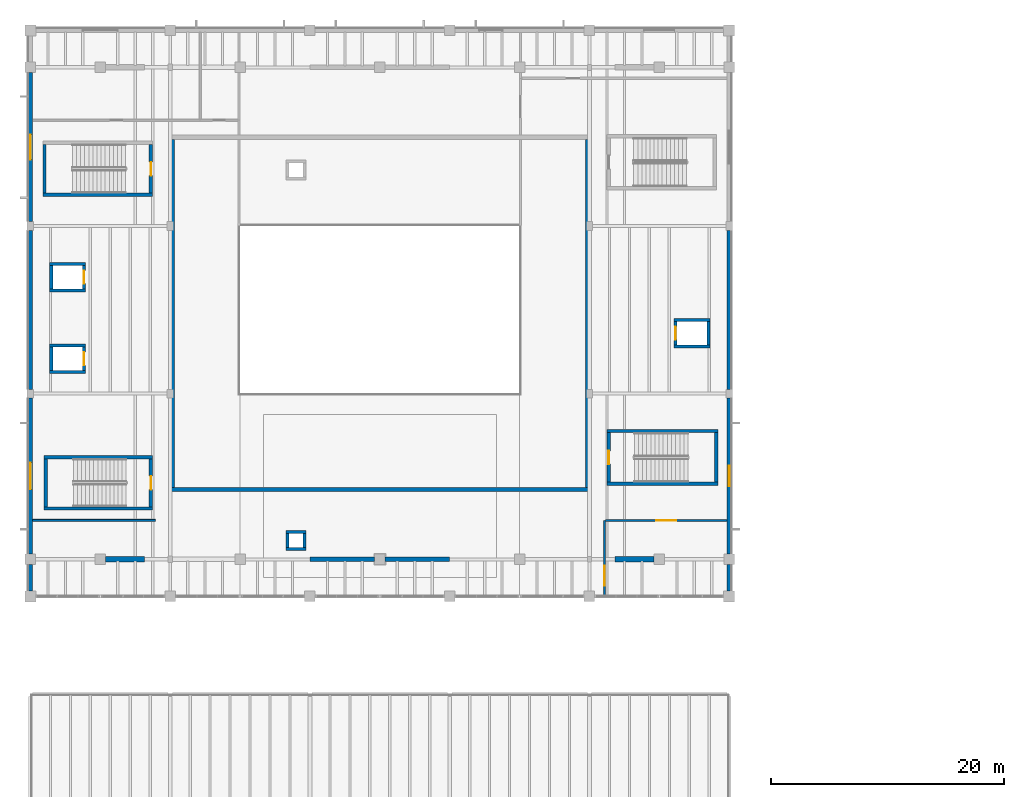
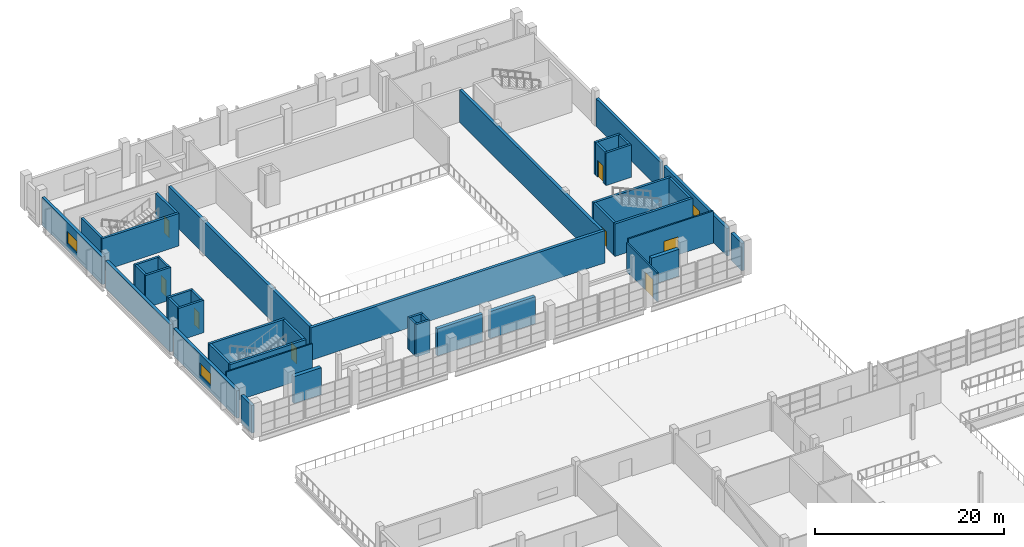
# One storey, part 58 of 78: 44 walls, 8 doors, 3 windows, 11 openings.
"""IFC4 building model written with IfcOpenShell, lengths in metres."""

from ifc_helpers import new_model, si_unit, direction, frame, frame_2d, origin, place, context, subcontext, project, spatial, rectangle, extrude, material, layer, layer_set, type_object, element, fill, save


model = new_model("IFC4")

# Units and contexts
model_context = context("Model", 3, precision=1e-05, world=origin(), true_north=direction((0.0, 1.0)))
body_context = subcontext(model_context, "Body", "Model", "MODEL_VIEW")
ifc_project = project(units=[si_unit("LENGTHUNIT", "METRE"), si_unit("AREAUNIT", "SQUARE_METRE"), si_unit("VOLUMEUNIT", "CUBIC_METRE"), si_unit("PLANEANGLEUNIT", "RADIAN"), si_unit("MASSUNIT", "GRAM", prefix="KILO")], contexts=[model_context])

# Site, building, storey
site_placement = place(None, origin())
site = spatial("IfcSite", under=ifc_project, at=site_placement, CompositionType="ELEMENT")
building_placement = place(site_placement, origin())
building = spatial("IfcBuilding", under=site, at=building_placement, Name="Kelmvaro Bay Concert Hall", CompositionType="ELEMENT")
storey_placement = place(building_placement, frame((0.0, 0.0, 9.300048828125)))
storey = spatial("IfcBuildingStorey", under=building, at=storey_placement, Name="L02", CompositionType="ELEMENT", Elevation=9.300048828125)

# Walls
ifc_material_1 = material(Name="Acoustic Gypsum Board on Galvanised Steel Studs", Category="steel")
ifc_layer_1 = layer(ifc_material_1, 0.169921875)
ifc_layer_set_1 = layer_set([ifc_layer_1], Name="Acoustic Gypsum Board on Galvanised Steel Studs")
wall_type_1 = type_object("IfcWallType", Name="Corridor Fire Compartment Partition 170", PredefinedType="PARTITIONING", material=ifc_layer_set_1)
wall_1_placement = place(storey_placement, frame((0.18994140625, 71.919921875, 0.0), z_axis=(0.0, 0.0, 1.0), x_axis=(1.0, 0.0, 0.0)))
element("IfcWall", 1, at=wall_1_placement, inside=storey, type_object=wall_type_1, Name="L02 Interior Partition PT-L02-0214", PredefinedType="PARTITIONING", context=body_context, shape_type="SweptSolid", body=[
    extrude(rectangle(XDim=10.53515625, YDim=0.169921875, at=frame_2d((5.267578125, 0.0))), origin(), (0.0, 0.0, 1.0), 4.179931640625),
])
ifc_material_2 = material(Name="Concrete C40/50", Category="concrete")
ifc_layer_2 = layer(ifc_material_2, 0.35009765625)
ifc_layer_set_2 = layer_set([ifc_layer_2], Name="Concrete C40/50")
wall_type_2 = type_object("IfcWallType", Name="Inner Floating Box Shear Wall 350", PredefinedType="SHEAR", material=ifc_layer_set_2)
wall_2_placement = place(storey_placement, frame((12.0048828125, 74.580078125, 0.0), z_axis=(0.0, 0.0, 1.0), x_axis=(1.0, 0.0, 0.0)))
element("IfcWall", 2, at=wall_2_placement, inside=storey, type_object=wall_type_2, Name="L02 V1 Acoustic Inner Box Wall S", PredefinedType="SHEAR", context=body_context, shape_type="SweptSolid", body=[
    extrude(rectangle(XDim=35.990234375, YDim=0.35009765625, at=frame_2d((17.9951171875, 0.0))), origin(), (0.0, 0.0, 1.0), 4.199951171875),
])
for number, where, z_axis, x_axis, name in (
    (3, (12.179931640625, 74.7548828125, 0.0), (0.0, 0.0, 1.0), (0.0, 1.0, 0.0), "L02 V1 Acoustic Inner Box Wall W"),
    (4, (47.820068359375, 74.7548828125, 0.0), (0.0, 0.0, 1.0), (0.0, 1.0, 0.0), "L02 V1 Acoustic Inner Box Wall E"),
):
    element("IfcWall", number, at=place(storey_placement, frame(where, z_axis=z_axis, x_axis=x_axis)), inside=storey, type_object=wall_type_2, Name=name, PredefinedType="SHEAR", context=body_context, shape_type="SweptSolid", body=[
        extrude(rectangle(XDim=29.89013671875, YDim=0.35009765625, at=frame_2d((14.945068359375, 0.0))), origin(), (0.0, 0.0, 1.0), 4.199951171875),
    ])

# Wall, opening, window
ifc_material_3 = material(Name="Precast Concrete C40/50", Category="concrete")
ifc_layer_3 = layer(ifc_material_3, 0.340087890625)
ifc_layer_set_3 = layer_set([ifc_layer_3], Name="Precast Concrete C40/50")
wall_type_3 = type_object("IfcWallType", Name="Main Hall Faceted Precast Wall 340", PredefinedType="SOLIDWALL", material=ifc_layer_set_3)
wall_3_placement = place(storey_placement, frame((60.0, 82.425048828125, 0.0), z_axis=(0.0, 0.0, 1.0), x_axis=(0.0, -1.0, 0.0)))
wall_3 = element("IfcWall", 5, at=wall_3_placement, inside=storey, type_object=wall_type_3, Name="L02 Exterior Wall EW-L02-0042", PredefinedType="SOLIDWALL", context=body_context, shape_type="SweptSolid", body=[
    extrude(rectangle(XDim=13.39501953125, YDim=0.340087890625, at=frame_2d((6.697509765625, 0.0))), origin(), (0.0, 0.0, 1.0), 3.56884765625),
])
opening_1_placement = place(wall_3_placement, frame((5.822509765625, 0.0, 0.85009765625)))
opening_1 = element("IfcOpeningElement", 6, at=opening_1_placement, cuts=wall_3, Name="Opening WN-20", PredefinedType="OPENING", context=body_context, shape_type="SweptSolid", body=[
    extrude(rectangle(XDim=1.75, YDim=1.449951171875, at=frame_2d((0.875, 0.72509765625))), frame((0.0, 0.179931640625, 0.0), z_axis=(0.0, -1.0, 0.0), x_axis=(1.0, 0.0, 0.0)), (0.0, 0.0, 1.0), 0.360107421875),
])
ifc_material_4 = material(Name="Thermally Broken Aluminium and Acoustic Low-E Glass", Category="aluminium")
window_type_1 = type_object("IfcWindowType", Name="Media Edit Suite Window 1750x1450", PartitioningType="SINGLE_PANEL", PredefinedType="WINDOW", material=ifc_material_4)
window_1_placement = place(opening_1_placement, origin())
window_1 = element("IfcWindow", 7, at=window_1_placement, inside=storey, type_object=window_type_1, Name="L02 Facade Window WN-L02-0022", OverallHeight=1.449951171875, OverallWidth=1.75, PartitioningType="SINGLE_PANEL", PredefinedType="WINDOW", context=body_context, shape_type="SweptSolid", body=[
    extrude(rectangle(XDim=1.75, YDim=1.449951171875, at=frame_2d((0.875, 0.72509765625))), frame((0.0, 0.030029296875, 0.0), z_axis=(0.0, -1.0, 0.0), x_axis=(1.0, 0.0, 0.0)), (0.0, 0.0, 1.0), 0.06005859375),
])
fill(opening_1, window_1)

# Walls
wall_4_placement = place(storey_placement, frame((60.0, 68.1298828125, 0.0), z_axis=(0.0, 0.0, 1.0), x_axis=(0.0, -1.0, 0.0)))
element("IfcWall", 8, at=wall_4_placement, inside=storey, type_object=wall_type_3, Name="L02 Exterior Wall EW-L02-0043", PredefinedType="SOLIDWALL", context=body_context, shape_type="SweptSolid", body=[
    extrude(rectangle(XDim=2.2548828125, YDim=0.340087890625, at=frame_2d((1.12744140625, 0.0))), origin(), (0.0, 0.0, 1.0), 3.56787109375),
])
wall_5_placement = place(storey_placement, frame((60.0, 96.824951171875, 0.0), z_axis=(0.0, 0.0, 1.0), x_axis=(0.0, -1.0, 0.0)))
element("IfcWall", 9, at=wall_5_placement, inside=storey, type_object=wall_type_3, Name="L02 Exterior Wall EW-L02-0044", PredefinedType="SOLIDWALL", context=body_context, shape_type="SweptSolid", body=[
    extrude(rectangle(XDim=13.64990234375, YDim=0.340087890625, at=frame_2d((6.824951171875, 0.0))), origin(), (0.0, 0.0, 1.0), 3.56884765625),
])
ifc_material_5 = material(Name="Concrete C40/50", Category="concrete")
ifc_layer_4 = layer(ifc_material_5, 0.449951171875)
ifc_layer_set_4 = layer_set([ifc_layer_4], Name="Concrete C40/50")
wall_type_4 = type_object("IfcWallType", Name="Outer Acoustic Box Shear Wall 450", PredefinedType="SHEAR", material=ifc_layer_set_4)
for number, where, z_axis, x_axis, name in (
    (10, (6.449951171875, 68.580078125, 0.0), (0.0, 0.0, 1.0), (1.0, 0.0, 0.0), "L02 Shell Springing Shear Wall S1"),
    (11, (50.199951171875, 68.580078125, 0.0), (0.0, 0.0, 1.0), (1.0, 0.0, 0.0), "L02 Shell Springing Shear Wall S4"),
):
    element("IfcWall", number, at=place(storey_placement, frame(where, z_axis=z_axis, x_axis=x_axis)), inside=storey, type_object=wall_type_4, Name=name, PredefinedType="SHEAR", context=body_context, shape_type="SweptSolid", body=[
        extrude(rectangle(XDim=3.35009765625, YDim=0.449951171875, at=frame_2d((1.675048828125, 0.0))), origin(), (0.0, 0.0, 1.0), 3.5048828125),
    ])

# Wall, opening, door
ifc_material_6 = material(Name="Acoustic Gypsum Board on Galvanised Steel Studs", Category="steel")
ifc_layer_5 = layer(ifc_material_6, 0.179931640625)
ifc_layer_set_5 = layer_set([ifc_layer_5], Name="Acoustic Gypsum Board on Galvanised Steel Studs")
wall_type_5 = type_object("IfcWallType", Name="Rehearsal Suite Acoustic Partition 180", PredefinedType="PARTITIONING", material=ifc_layer_set_5)
wall_6_placement = place(storey_placement, frame((49.280029296875, 65.449951171875, 0.0), z_axis=(0.0, 0.0, 1.0), x_axis=(0.0, 1.0, 0.0)))
wall_6 = element("IfcWall", 12, at=wall_6_placement, inside=storey, type_object=wall_type_5, Name="L02 Interior Partition PT-L02-0205", PredefinedType="PARTITIONING", context=body_context, shape_type="SweptSolid", body=[
    extrude(rectangle(XDim=6.47509765625, YDim=0.179931640625, at=frame_2d((3.237548828125, 0.0))), origin(), (0.0, 0.0, 1.0), 3.718017578125),
])
opening_2_placement = place(wall_6_placement, frame((0.8603515625, 0.0, 0.0)))
opening_2 = element("IfcOpeningElement", 13, at=opening_2_placement, cuts=wall_6, Name="Opening ID-AC4", PredefinedType="OPENING", context=body_context, shape_type="SweptSolid", body=[
    extrude(rectangle(XDim=1.719970703125, YDim=2.340087890625, at=frame_2d((0.85986328125, 1.169921875))), frame((0.0, 0.099853515625, 0.0), z_axis=(0.0, -1.0, 0.0), x_axis=(1.0, 0.0, 0.0)), (0.0, 0.0, 1.0), 0.199951171875),
])
ifc_material_7 = material(Name="Solid White Oak Acoustic Leaf")
door_type_1 = type_object("IfcDoorType", Name="Rehearsal Hall Acoustic Pair Door 1720x2340", OperationType="NOTDEFINED", PredefinedType="DOOR", material=ifc_material_7)
door_1_placement = place(opening_2_placement, origin())
door_1 = element("IfcDoor", 14, at=door_1_placement, inside=storey, type_object=door_type_1, Name="L02 Interior Door DR-INT-L02-0124", OperationType="DOUBLE_DOOR_SINGLE_SWING", OverallHeight=2.340087890625, OverallWidth=1.719970703125, PredefinedType="DOOR", context=body_context, shape_type="SweptSolid", body=[
    extrude(rectangle(XDim=1.719970703125, YDim=2.340087890625, at=frame_2d((0.85986328125, 1.169921875))), frame((0.0, 0.02490234375, 0.0), z_axis=(0.0, -1.0, 0.0), x_axis=(1.0, 0.0, 0.0)), (0.0, 0.0, 1.0), 0.050048828125),
])
fill(opening_2, door_1)

wall_7_placement = place(storey_placement, frame((49.3798828125, 71.919921875, 0.0), z_axis=(0.0, 0.0, 1.0), x_axis=(1.0, 0.0, 0.0)))
wall_7 = element("IfcWall", 15, at=wall_7_placement, inside=storey, type_object=wall_type_5, Name="L02 Interior Partition PT-L02-0218", PredefinedType="PARTITIONING", context=body_context, shape_type="SweptSolid", body=[
    extrude(rectangle(XDim=10.440185546875, YDim=0.179931640625, at=frame_2d((5.22021484375, 0.0))), origin(), (0.0, 0.0, 1.0), 4.179931640625),
])
opening_3_placement = place(wall_7_placement, frame((4.360107421875, 0.0, 0.0)))
opening_3 = element("IfcOpeningElement", 16, at=opening_3_placement, cuts=wall_7, Name="Opening ID-AC4", PredefinedType="OPENING", context=body_context, shape_type="SweptSolid", body=[
    extrude(rectangle(XDim=1.719970703125, YDim=2.340087890625, at=frame_2d((0.85986328125, 1.169921875))), frame((0.0, 0.099853515625, 0.0), z_axis=(0.0, -1.0, 0.0), x_axis=(1.0, 0.0, 0.0)), (0.0, 0.0, 1.0), 0.199951171875),
])
door_2_placement = place(opening_3_placement, origin())
door_2 = element("IfcDoor", 17, at=door_2_placement, inside=storey, type_object=door_type_1, Name="L02 Interior Door DR-INT-L02-0128", OperationType="DOUBLE_DOOR_SINGLE_SWING", OverallHeight=2.340087890625, OverallWidth=1.719970703125, PredefinedType="DOOR", context=body_context, shape_type="SweptSolid", body=[
    extrude(rectangle(XDim=1.719970703125, YDim=2.340087890625, at=frame_2d((0.85986328125, 1.169921875))), frame((0.0, 0.02490234375, 0.0), z_axis=(0.0, -1.0, 0.0), x_axis=(1.0, 0.0, 0.0)), (0.0, 0.0, 1.0), 0.050048828125),
])
fill(opening_3, door_2)

# Walls
ifc_material_8 = material(Name="Concrete C40/50", Category="concrete")
ifc_layer_6 = layer(ifc_material_8, 0.27001953125)
ifc_layer_set_6 = layer_set([ifc_layer_6], Name="Concrete C40/50")
wall_type_6 = type_object("IfcWallType", Name="Secondary Shaft Shear Wall 270", PredefinedType="SHEAR", material=ifc_layer_set_6)
for number, where, z_axis, x_axis, name in (
    (18, (21.929931640625, 69.465087890625, 0.0), (0.0, 0.0, 1.0), (1.0, 0.0, 0.0), "L02 Service Riser Shaft Wall 121-S"),
    (19, (21.929931640625, 70.93505859375, 0.0), (0.0, 0.0, 1.0), (1.0, 0.0, 0.0), "L02 Service Riser Shaft Wall 122-N"),
):
    element("IfcWall", number, at=place(storey_placement, frame(where, z_axis=z_axis, x_axis=x_axis)), inside=storey, type_object=wall_type_6, Name=name, PredefinedType="SHEAR", context=body_context, shape_type="SweptSolid", body=[
        extrude(rectangle(XDim=1.739990234375, YDim=0.27001953125, at=frame_2d((0.8701171875, 0.0))), origin(), (0.0, 0.0, 1.0), 4.199951171875),
    ])
for number, where, z_axis, x_axis, name in (
    (20, (22.06494140625, 69.60009765625, 0.0), (0.0, 0.0, 1.0), (0.0, 1.0, 0.0), "L02 Service Riser Shaft Wall 123-W"),
    (21, (23.534912109375, 69.60009765625, 0.0), (0.0, 0.0, 1.0), (0.0, 1.0, 0.0), "L02 Service Riser Shaft Wall 124-E"),
):
    element("IfcWall", number, at=place(storey_placement, frame(where, z_axis=z_axis, x_axis=x_axis)), inside=storey, type_object=wall_type_6, Name=name, PredefinedType="SHEAR", context=body_context, shape_type="SweptSolid", body=[
        extrude(rectangle(XDim=1.199951171875, YDim=0.27001953125, at=frame_2d((0.60009765625, 0.0))), origin(), (0.0, 0.0, 1.0), 4.199951171875),
    ])
for number, where, z_axis, x_axis, name in (
    (22, (1.655029296875, 84.6650390625, 0.0), (0.0, 0.0, 1.0), (1.0, 0.0, 0.0), "L02 LF-01 Lift Shaft Wall S"),
    (23, (1.655029296875, 86.93505859375, 0.0), (0.0, 0.0, 1.0), (1.0, 0.0, 0.0), "L02 LF-01 Lift Shaft Wall N"),
):
    element("IfcWall", number, at=place(storey_placement, frame(where, z_axis=z_axis, x_axis=x_axis)), inside=storey, type_object=wall_type_6, Name=name, PredefinedType="SHEAR", context=body_context, shape_type="SweptSolid", body=[
        extrude(rectangle(XDim=3.090087890625, YDim=0.27001953125, at=frame_2d((1.544921875, 0.0))), origin(), (0.0, 0.0, 1.0), 4.199951171875),
    ])
wall_8_placement = place(storey_placement, frame((1.7900390625, 84.800048828125, 0.0), z_axis=(0.0, 0.0, 1.0), x_axis=(0.0, 1.0, 0.0)))
element("IfcWall", 24, at=wall_8_placement, inside=storey, type_object=wall_type_6, Name="L02 LF-01 Lift Shaft Wall W", PredefinedType="SHEAR", context=body_context, shape_type="SweptSolid", body=[
    extrude(rectangle(XDim=2.0, YDim=0.27001953125, at=frame_2d((1.0, 0.0))), origin(), (0.0, 0.0, 1.0), 4.199951171875),
])

# Wall, opening, door
wall_9_placement = place(storey_placement, frame((4.610107421875, 84.800048828125, 0.0), z_axis=(0.0, 0.0, 1.0), x_axis=(0.0, 1.0, 0.0)))
wall_9 = element("IfcWall", 25, at=wall_9_placement, inside=storey, type_object=wall_type_6, Name="L02 LF-01 Lift Shaft Wall E", PredefinedType="SHEAR", context=body_context, shape_type="SweptSolid", body=[
    extrude(rectangle(XDim=2.0, YDim=0.27001953125, at=frame_2d((1.0, 0.0))), origin(), (0.0, 0.0, 1.0), 4.199951171875),
])
opening_4_placement = place(wall_9_placement, frame((0.43994140625, 0.0, 0.0)))
opening_4 = element("IfcOpeningElement", 26, at=opening_4_placement, cuts=wall_9, Name="Opening LD-112", PredefinedType="OPENING", context=body_context, shape_type="SweptSolid", body=[
    extrude(rectangle(XDim=1.1201171875, YDim=2.14990234375, at=frame_2d((0.56005859375, 1.074951171875))), frame((0.0, 0.14501953125, 0.0), z_axis=(0.0, -1.0, 0.0), x_axis=(1.0, 0.0, 0.0)), (0.0, 0.0, 1.0), 0.2900390625),
])
ifc_material_9 = material(Name="Brushed Stainless Steel 316", Category="steel")
door_type_2 = type_object("IfcDoorType", Name="Passenger Lift Sliding Landing Door 1120x2150", OperationType="NOTDEFINED", PredefinedType="DOOR", material=ifc_material_9)
door_3_placement = place(opening_4_placement, origin())
door_3 = element("IfcDoor", 27, at=door_3_placement, inside=storey, type_object=door_type_2, Name="L02 Lift Landing Door LF-01", OperationType="SLIDING_TO_LEFT", OverallHeight=2.14990234375, OverallWidth=1.1201171875, PredefinedType="DOOR", context=body_context, shape_type="SweptSolid", body=[
    extrude(rectangle(XDim=1.1201171875, YDim=2.14990234375, at=frame_2d((0.56005859375, 1.074951171875))), frame((0.0, 0.02490234375, 0.0), z_axis=(0.0, -1.0, 0.0), x_axis=(1.0, 0.0, 0.0)), (0.0, 0.0, 1.0), 0.050048828125),
])
fill(opening_4, door_3)

# Walls
for number, where, z_axis, x_axis, name in (
    (28, (1.655029296875, 91.6650390625, 0.0), (0.0, 0.0, 1.0), (1.0, 0.0, 0.0), "L02 LF-02 Lift Shaft Wall S"),
    (29, (1.655029296875, 93.93505859375, 0.0), (0.0, 0.0, 1.0), (1.0, 0.0, 0.0), "L02 LF-02 Lift Shaft Wall N"),
):
    element("IfcWall", number, at=place(storey_placement, frame(where, z_axis=z_axis, x_axis=x_axis)), inside=storey, type_object=wall_type_6, Name=name, PredefinedType="SHEAR", context=body_context, shape_type="SweptSolid", body=[
        extrude(rectangle(XDim=3.090087890625, YDim=0.27001953125, at=frame_2d((1.544921875, 0.0))), origin(), (0.0, 0.0, 1.0), 4.199951171875),
    ])
wall_10_placement = place(storey_placement, frame((1.7900390625, 91.800048828125, 0.0), z_axis=(0.0, 0.0, 1.0), x_axis=(0.0, 1.0, 0.0)))
element("IfcWall", 30, at=wall_10_placement, inside=storey, type_object=wall_type_6, Name="L02 LF-02 Lift Shaft Wall W", PredefinedType="SHEAR", context=body_context, shape_type="SweptSolid", body=[
    extrude(rectangle(XDim=2.0, YDim=0.27001953125, at=frame_2d((1.0, 0.0))), origin(), (0.0, 0.0, 1.0), 4.199951171875),
])

# Wall, opening, door
wall_11_placement = place(storey_placement, frame((4.610107421875, 91.800048828125, 0.0), z_axis=(0.0, 0.0, 1.0), x_axis=(0.0, 1.0, 0.0)))
wall_11 = element("IfcWall", 31, at=wall_11_placement, inside=storey, type_object=wall_type_6, Name="L02 LF-02 Lift Shaft Wall E", PredefinedType="SHEAR", context=body_context, shape_type="SweptSolid", body=[
    extrude(rectangle(XDim=2.0, YDim=0.27001953125, at=frame_2d((1.0, 0.0))), origin(), (0.0, 0.0, 1.0), 4.199951171875),
])
opening_5_placement = place(wall_11_placement, frame((0.43994140625, 0.0, 0.0)))
opening_5 = element("IfcOpeningElement", 32, at=opening_5_placement, cuts=wall_11, Name="Opening LD-112", PredefinedType="OPENING", context=body_context, shape_type="SweptSolid", body=[
    extrude(rectangle(XDim=1.1201171875, YDim=2.14990234375, at=frame_2d((0.56005859375, 1.074951171875))), frame((0.0, 0.14501953125, 0.0), z_axis=(0.0, -1.0, 0.0), x_axis=(1.0, 0.0, 0.0)), (0.0, 0.0, 1.0), 0.2900390625),
])
door_4_placement = place(opening_5_placement, origin())
door_4 = element("IfcDoor", 33, at=door_4_placement, inside=storey, type_object=door_type_2, Name="L02 Lift Landing Door LF-02", OperationType="SLIDING_TO_LEFT", OverallHeight=2.14990234375, OverallWidth=1.1201171875, PredefinedType="DOOR", context=body_context, shape_type="SweptSolid", body=[
    extrude(rectangle(XDim=1.1201171875, YDim=2.14990234375, at=frame_2d((0.56005859375, 1.074951171875))), frame((0.0, 0.02490234375, 0.0), z_axis=(0.0, -1.0, 0.0), x_axis=(1.0, 0.0, 0.0)), (0.0, 0.0, 1.0), 0.050048828125),
])
fill(opening_5, door_4)

# Walls
for number, where, z_axis, x_axis, name in (
    (34, (55.2548828125, 86.864990234375, 0.0), (0.0, 0.0, 1.0), (1.0, 0.0, 0.0), "L02 LF-03 Lift Shaft Wall S"),
    (35, (55.2548828125, 89.135009765625, 0.0), (0.0, 0.0, 1.0), (1.0, 0.0, 0.0), "L02 LF-03 Lift Shaft Wall N"),
):
    element("IfcWall", number, at=place(storey_placement, frame(where, z_axis=z_axis, x_axis=x_axis)), inside=storey, type_object=wall_type_6, Name=name, PredefinedType="SHEAR", context=body_context, shape_type="SweptSolid", body=[
        extrude(rectangle(XDim=3.090087890625, YDim=0.27001953125, at=frame_2d((1.544921875, 0.0))), origin(), (0.0, 0.0, 1.0), 4.199951171875),
    ])

# Wall, opening, door
wall_12_placement = place(storey_placement, frame((55.389892578125, 87.0, 0.0), z_axis=(0.0, 0.0, 1.0), x_axis=(0.0, 1.0, 0.0)))
wall_12 = element("IfcWall", 36, at=wall_12_placement, inside=storey, type_object=wall_type_6, Name="L02 LF-03 Lift Shaft Wall W", PredefinedType="SHEAR", context=body_context, shape_type="SweptSolid", body=[
    extrude(rectangle(XDim=2.0, YDim=0.27001953125, at=frame_2d((1.0, 0.0))), origin(), (0.0, 0.0, 1.0), 4.199951171875),
])
opening_6_placement = place(wall_12_placement, frame((0.43994140625, 0.0, 0.0)))
opening_6 = element("IfcOpeningElement", 37, at=opening_6_placement, cuts=wall_12, Name="Opening LD-112", PredefinedType="OPENING", context=body_context, shape_type="SweptSolid", body=[
    extrude(rectangle(XDim=1.1201171875, YDim=2.14990234375, at=frame_2d((0.56005859375, 1.074951171875))), frame((0.0, 0.14501953125, 0.0), z_axis=(0.0, -1.0, 0.0), x_axis=(1.0, 0.0, 0.0)), (0.0, 0.0, 1.0), 0.2900390625),
])
door_5_placement = place(opening_6_placement, origin())
door_5 = element("IfcDoor", 38, at=door_5_placement, inside=storey, type_object=door_type_2, Name="L02 Lift Landing Door LF-03", OperationType="SLIDING_TO_LEFT", OverallHeight=2.14990234375, OverallWidth=1.1201171875, PredefinedType="DOOR", context=body_context, shape_type="SweptSolid", body=[
    extrude(rectangle(XDim=1.1201171875, YDim=2.14990234375, at=frame_2d((0.56005859375, 1.074951171875))), frame((0.0, 0.02490234375, 0.0), z_axis=(0.0, -1.0, 0.0), x_axis=(1.0, 0.0, 0.0)), (0.0, 0.0, 1.0), 0.050048828125),
])
fill(opening_6, door_5)

# Walls
wall_13_placement = place(storey_placement, frame((58.2099609375, 87.0, 0.0), z_axis=(0.0, 0.0, 1.0), x_axis=(0.0, 1.0, 0.0)))
element("IfcWall", 39, at=wall_13_placement, inside=storey, type_object=wall_type_6, Name="L02 LF-03 Lift Shaft Wall E", PredefinedType="SHEAR", context=body_context, shape_type="SweptSolid", body=[
    extrude(rectangle(XDim=2.0, YDim=0.27001953125, at=frame_2d((1.0, 0.0))), origin(), (0.0, 0.0, 1.0), 4.199951171875),
])
ifc_material_10 = material(Name="Concrete C40/50", Category="concrete")
ifc_layer_7 = layer(ifc_material_10, 0.409912109375)
ifc_layer_set_7 = layer_set([ifc_layer_7], Name="Concrete C40/50")
wall_type_7 = type_object("IfcWallType", Name="Shell Springing Shear Wall 410", PredefinedType="SHEAR", material=ifc_layer_set_7)
for number, where, z_axis, x_axis, name in (
    (40, (24.0, 68.580078125, 0.0), (0.0, 0.0, 1.0), (1.0, 0.0, 0.0), "L02 Shell Springing Shear Wall S2"),
    (41, (30.449951171875, 68.580078125, 0.0), (0.0, 0.0, 1.0), (1.0, 0.0, 0.0), "L02 Shell Springing Shear Wall S3"),
):
    element("IfcWall", number, at=place(storey_placement, frame(where, z_axis=z_axis, x_axis=x_axis)), inside=storey, type_object=wall_type_7, Name=name, PredefinedType="SHEAR", context=body_context, shape_type="SweptSolid", body=[
        extrude(rectangle(XDim=5.550048828125, YDim=0.409912109375, at=frame_2d((2.77490234375, 0.0))), origin(), (0.0, 0.0, 1.0), 3.5048828125),
    ])
ifc_material_11 = material(Name="Concrete C40/50", Category="concrete")
ifc_layer_8 = layer(ifc_material_11, 0.2900390625)
ifc_layer_set_8 = layer_set([ifc_layer_8], Name="Concrete C40/50")
wall_type_8 = type_object("IfcWallType", Name="Stair and Lift Core Shear Wall 290", PredefinedType="SHEAR", material=ifc_layer_set_8)
for number, where, z_axis, x_axis, name in (
    (42, (1.159912109375, 72.945068359375, 0.0), (0.0, 0.0, 1.0), (1.0, 0.0, 0.0), "L02 ST-01 Core Shear Wall S"),
    (43, (1.159912109375, 77.344970703125, 0.0), (0.0, 0.0, 1.0), (1.0, 0.0, 0.0), "L02 ST-01 Core Shear Wall N"),
):
    element("IfcWall", number, at=place(storey_placement, frame(where, z_axis=z_axis, x_axis=x_axis)), inside=storey, type_object=wall_type_8, Name=name, PredefinedType="SHEAR", context=body_context, shape_type="SweptSolid", body=[
        extrude(rectangle(XDim=9.330078125, YDim=0.2900390625, at=frame_2d((4.6650390625, 0.0))), origin(), (0.0, 0.0, 1.0), 4.199951171875),
    ])
wall_14_placement = place(storey_placement, frame((1.304931640625, 73.090087890625, 0.0), z_axis=(0.0, 0.0, 1.0), x_axis=(0.0, 1.0, 0.0)))
element("IfcWall", 44, at=wall_14_placement, inside=storey, type_object=wall_type_8, Name="L02 ST-01 Core Shear Wall W", PredefinedType="SHEAR", context=body_context, shape_type="SweptSolid", body=[
    extrude(rectangle(XDim=4.10986328125, YDim=0.2900390625, at=frame_2d((2.054931640625, 0.0))), origin(), (0.0, 0.0, 1.0), 4.199951171875),
])

# Wall, opening, door
wall_15_placement = place(storey_placement, frame((10.344970703125, 73.090087890625, 0.0), z_axis=(0.0, 0.0, 1.0), x_axis=(0.0, 1.0, 0.0)))
wall_15 = element("IfcWall", 45, at=wall_15_placement, inside=storey, type_object=wall_type_8, Name="L02 ST-01 Core Shear Wall E", PredefinedType="SHEAR", context=body_context, shape_type="SweptSolid", body=[
    extrude(rectangle(XDim=4.10986328125, YDim=0.2900390625, at=frame_2d((2.054931640625, 0.0))), origin(), (0.0, 0.0, 1.0), 4.199951171875),
])
opening_7_placement = place(wall_15_placement, frame((1.47998046875, 0.0, 0.0)))
opening_7 = element("IfcOpeningElement", 46, at=opening_7_placement, cuts=wall_15, Name="Opening ID-ST1", PredefinedType="OPENING", context=body_context, shape_type="SweptSolid", body=[
    extrude(rectangle(XDim=1.14990234375, YDim=2.14990234375, at=frame_2d((0.574951171875, 1.074951171875))), frame((0.0, 0.155029296875, 0.0), z_axis=(0.0, -1.0, 0.0), x_axis=(1.0, 0.0, 0.0)), (0.0, 0.0, 1.0), 0.31005859375),
])
ifc_material_12 = material(Name="Fire-Rated Galvanised Steel", Category="steel")
door_type_3 = type_object("IfcDoorType", Name="Exit Stair Fire Door 1150x2150", OperationType="NOTDEFINED", PredefinedType="DOOR", material=ifc_material_12)
door_6_placement = place(opening_7_placement, origin())
door_6 = element("IfcDoor", 47, at=door_6_placement, inside=storey, type_object=door_type_3, Name="L02 ST-01 Stair Fire Door", OperationType="SINGLE_SWING_RIGHT", OverallHeight=2.14990234375, OverallWidth=1.14990234375, PredefinedType="DOOR", context=body_context, shape_type="SweptSolid", body=[
    extrude(rectangle(XDim=1.14990234375, YDim=2.14990234375, at=frame_2d((0.574951171875, 1.074951171875))), frame((0.0, 0.02490234375, 0.0), z_axis=(0.0, -1.0, 0.0), x_axis=(1.0, 0.0, 0.0)), (0.0, 0.0, 1.0), 0.050048828125),
])
fill(opening_7, door_6)

# Walls
wall_16_placement = place(storey_placement, frame((1.06005859375, 99.864990234375, 0.0), z_axis=(0.0, 0.0, 1.0), x_axis=(1.0, 0.0, 0.0)))
element("IfcWall", 48, at=wall_16_placement, inside=storey, type_object=wall_type_8, Name="L02 ST-03 Core Shear Wall S", PredefinedType="SHEAR", context=body_context, shape_type="SweptSolid", body=[
    extrude(rectangle(XDim=9.429931640625, YDim=0.2900390625, at=frame_2d((4.71484375, 0.0))), origin(), (0.0, 0.0, 1.0), 4.199951171875),
])
wall_17_placement = place(storey_placement, frame((1.205078125, 100.010009765625, 0.0), z_axis=(0.0, 0.0, 1.0), x_axis=(0.0, 1.0, 0.0)))
element("IfcWall", 49, at=wall_17_placement, inside=storey, type_object=wall_type_8, Name="L02 ST-03 Core Shear Wall W", PredefinedType="SHEAR", context=body_context, shape_type="SweptSolid", body=[
    extrude(rectangle(XDim=4.18994140625, YDim=0.2900390625, at=frame_2d((2.094970703125, 0.0))), origin(), (0.0, 0.0, 1.0), 4.199951171875),
])

# Wall, opening, door
wall_18_placement = place(storey_placement, frame((10.344970703125, 100.010009765625, 0.0), z_axis=(0.0, 0.0, 1.0), x_axis=(0.0, 1.0, 0.0)))
wall_18 = element("IfcWall", 50, at=wall_18_placement, inside=storey, type_object=wall_type_8, Name="L02 ST-03 Core Shear Wall E", PredefinedType="SHEAR", context=body_context, shape_type="SweptSolid", body=[
    extrude(rectangle(XDim=4.18994140625, YDim=0.2900390625, at=frame_2d((2.094970703125, 0.0))), origin(), (0.0, 0.0, 1.0), 4.199951171875),
])
opening_8_placement = place(wall_18_placement, frame((1.52001953125, 0.0, 0.0)))
opening_8 = element("IfcOpeningElement", 51, at=opening_8_placement, cuts=wall_18, Name="Opening ID-ST1", PredefinedType="OPENING", context=body_context, shape_type="SweptSolid", body=[
    extrude(rectangle(XDim=1.14990234375, YDim=2.14990234375, at=frame_2d((0.574951171875, 1.074951171875))), frame((0.0, 0.155029296875, 0.0), z_axis=(0.0, -1.0, 0.0), x_axis=(1.0, 0.0, 0.0)), (0.0, 0.0, 1.0), 0.31005859375),
])
door_7_placement = place(opening_8_placement, origin())
door_7 = element("IfcDoor", 52, at=door_7_placement, inside=storey, type_object=door_type_3, Name="L02 ST-03 Stair Fire Door", OperationType="SINGLE_SWING_RIGHT", OverallHeight=2.14990234375, OverallWidth=1.14990234375, PredefinedType="DOOR", context=body_context, shape_type="SweptSolid", body=[
    extrude(rectangle(XDim=1.14990234375, YDim=2.14990234375, at=frame_2d((0.574951171875, 1.074951171875))), frame((0.0, 0.02490234375, 0.0), z_axis=(0.0, -1.0, 0.0), x_axis=(1.0, 0.0, 0.0)), (0.0, 0.0, 1.0), 0.050048828125),
])
fill(opening_8, door_7)

# Walls
for number, where, z_axis, x_axis, name in (
    (53, (49.510009765625, 75.054931640625, 0.0), (0.0, 0.0, 1.0), (1.0, 0.0, 0.0), "L02 ST-04 Core Shear Wall S"),
    (54, (49.510009765625, 79.594970703125, 0.0), (0.0, 0.0, 1.0), (1.0, 0.0, 0.0), "L02 ST-04 Core Shear Wall N"),
):
    element("IfcWall", number, at=place(storey_placement, frame(where, z_axis=z_axis, x_axis=x_axis)), inside=storey, type_object=wall_type_8, Name=name, PredefinedType="SHEAR", context=body_context, shape_type="SweptSolid", body=[
        extrude(rectangle(XDim=9.530029296875, YDim=0.2900390625, at=frame_2d((4.76513671875, 0.0))), origin(), (0.0, 0.0, 1.0), 4.199951171875),
    ])

# Wall, opening, door
wall_19_placement = place(storey_placement, frame((49.655029296875, 75.199951171875, 0.0), z_axis=(0.0, 0.0, 1.0), x_axis=(0.0, 1.0, 0.0)))
wall_19 = element("IfcWall", 55, at=wall_19_placement, inside=storey, type_object=wall_type_8, Name="L02 ST-04 Core Shear Wall W", PredefinedType="SHEAR", context=body_context, shape_type="SweptSolid", body=[
    extrude(rectangle(XDim=4.25, YDim=0.2900390625, at=frame_2d((2.125, 0.0))), origin(), (0.0, 0.0, 1.0), 4.199951171875),
])
opening_9_placement = place(wall_19_placement, frame((1.550048828125, 0.0, 0.0)))
opening_9 = element("IfcOpeningElement", 56, at=opening_9_placement, cuts=wall_19, Name="Opening ID-ST1", PredefinedType="OPENING", context=body_context, shape_type="SweptSolid", body=[
    extrude(rectangle(XDim=1.14990234375, YDim=2.14990234375, at=frame_2d((0.574951171875, 1.074951171875))), frame((0.0, 0.155029296875, 0.0), z_axis=(0.0, -1.0, 0.0), x_axis=(1.0, 0.0, 0.0)), (0.0, 0.0, 1.0), 0.31005859375),
])
door_8_placement = place(opening_9_placement, origin())
door_8 = element("IfcDoor", 57, at=door_8_placement, inside=storey, type_object=door_type_3, Name="L02 ST-04 Stair Fire Door", OperationType="SINGLE_SWING_RIGHT", OverallHeight=2.14990234375, OverallWidth=1.14990234375, PredefinedType="DOOR", context=body_context, shape_type="SweptSolid", body=[
    extrude(rectangle(XDim=1.14990234375, YDim=2.14990234375, at=frame_2d((0.574951171875, 1.074951171875))), frame((0.0, 0.02490234375, 0.0), z_axis=(0.0, -1.0, 0.0), x_axis=(1.0, 0.0, 0.0)), (0.0, 0.0, 1.0), 0.050048828125),
])
fill(opening_9, door_8)

# Walls
wall_20_placement = place(storey_placement, frame((58.89501953125, 75.199951171875, 0.0), z_axis=(0.0, 0.0, 1.0), x_axis=(0.0, 1.0, 0.0)))
element("IfcWall", 58, at=wall_20_placement, inside=storey, type_object=wall_type_8, Name="L02 ST-04 Core Shear Wall E", PredefinedType="SHEAR", context=body_context, shape_type="SweptSolid", body=[
    extrude(rectangle(XDim=4.25, YDim=0.2900390625, at=frame_2d((2.125, 0.0))), origin(), (0.0, 0.0, 1.0), 4.199951171875),
])
ifc_material_13 = material(Name="Precast Concrete C40/50", Category="concrete")
ifc_layer_9 = layer(ifc_material_13, 0.360107421875)
ifc_layer_set_9 = layer_set([ifc_layer_9], Name="Precast Concrete C40/50")
wall_type_9 = type_object("IfcWallType", Name="Travertine Acoustic Precast Wall 360", PredefinedType="SOLIDWALL", material=ifc_layer_set_9)
wall_21_placement = place(storey_placement, frame((0.0, 65.875, 0.0), z_axis=(0.0, 0.0, 1.0), x_axis=(0.0, 1.0, 0.0)))
element("IfcWall", 59, at=wall_21_placement, inside=storey, type_object=wall_type_9, Name="L02 Exterior Wall EW-L02-0037", PredefinedType="SOLIDWALL", context=body_context, shape_type="SweptSolid", body=[
    extrude(rectangle(XDim=2.2548828125, YDim=0.360107421875, at=frame_2d((1.12744140625, 0.0))), origin(), (0.0, 0.0, 1.0), 3.56787109375),
])

# Wall, opening, window
wall_22_placement = place(storey_placement, frame((0.0, 69.030029296875, 0.0), z_axis=(0.0, 0.0, 1.0), x_axis=(0.0, 1.0, 0.0)))
wall_22 = element("IfcWall", 60, at=wall_22_placement, inside=storey, type_object=wall_type_9, Name="L02 Exterior Wall EW-L02-0038", PredefinedType="SOLIDWALL", context=body_context, shape_type="SweptSolid", body=[
    extrude(rectangle(XDim=13.39501953125, YDim=0.360107421875, at=frame_2d((6.697509765625, 0.0))), origin(), (0.0, 0.0, 1.0), 3.56884765625),
])
opening_10_placement = place(wall_22_placement, frame((5.547607421875, 0.0, 0.85009765625)))
opening_10 = element("IfcOpeningElement", 61, at=opening_10_placement, cuts=wall_22, Name="Opening WN-18", PredefinedType="OPENING", context=body_context, shape_type="SweptSolid", body=[
    extrude(rectangle(XDim=2.300048828125, YDim=1.60009765625, at=frame_2d((1.14990234375, 0.800048828125))), frame((0.0, 0.18994140625, 0.0), z_axis=(0.0, -1.0, 0.0), x_axis=(1.0, 0.0, 0.0)), (0.0, 0.0, 1.0), 0.380126953125),
])
ifc_material_14 = material(Name="Thermally Broken Aluminium and Acoustic Low-E Glass", Category="aluminium")
window_type_2 = type_object("IfcWindowType", Name="Folio Library Reading Window 2300x1600", PartitioningType="SINGLE_PANEL", PredefinedType="WINDOW", material=ifc_material_14)
window_2_placement = place(opening_10_placement, origin())
window_2 = element("IfcWindow", 62, at=window_2_placement, inside=storey, type_object=window_type_2, Name="L02 Facade Window WN-L02-0020", OverallHeight=1.60009765625, OverallWidth=2.300048828125, PartitioningType="SINGLE_PANEL", PredefinedType="WINDOW", context=body_context, shape_type="SweptSolid", body=[
    extrude(rectangle(XDim=2.300048828125, YDim=1.60009765625, at=frame_2d((1.14990234375, 0.800048828125))), frame((0.0, 0.030029296875, 0.0), z_axis=(0.0, -1.0, 0.0), x_axis=(1.0, 0.0, 0.0)), (0.0, 0.0, 1.0), 0.06005859375),
])
fill(opening_10, window_2)

# Wall
wall_23_placement = place(storey_placement, frame((0.0, 83.175048828125, 0.0), z_axis=(0.0, 0.0, 1.0), x_axis=(0.0, 1.0, 0.0)))
element("IfcWall", 63, at=wall_23_placement, inside=storey, type_object=wall_type_9, Name="L02 Exterior Wall EW-L02-0039", PredefinedType="SOLIDWALL", context=body_context, shape_type="SweptSolid", body=[
    extrude(rectangle(XDim=13.64990234375, YDim=0.360107421875, at=frame_2d((6.824951171875, 0.0))), origin(), (0.0, 0.0, 1.0), 3.56884765625),
])

# Wall, opening, window
wall_24_placement = place(storey_placement, frame((0.0, 97.574951171875, 0.0), z_axis=(0.0, 0.0, 1.0), x_axis=(0.0, 1.0, 0.0)))
wall_24 = element("IfcWall", 64, at=wall_24_placement, inside=storey, type_object=wall_type_9, Name="L02 Exterior Wall EW-L02-0040", PredefinedType="SOLIDWALL", context=body_context, shape_type="SweptSolid", body=[
    extrude(rectangle(XDim=12.795166015625, YDim=0.360107421875, at=frame_2d((6.3974609375, 0.0))), origin(), (0.0, 0.0, 1.0), 3.56884765625),
])
opening_11_placement = place(wall_24_placement, frame((5.322509765625, 0.0, 0.85009765625)))
opening_11 = element("IfcOpeningElement", 65, at=opening_11_placement, cuts=wall_24, Name="Opening WN-19", PredefinedType="OPENING", context=body_context, shape_type="SweptSolid", body=[
    extrude(rectangle(XDim=2.14990234375, YDim=1.550048828125, at=frame_2d((1.074951171875, 0.77490234375))), frame((0.0, 0.18994140625, 0.0), z_axis=(0.0, -1.0, 0.0), x_axis=(1.0, 0.0, 0.0)), (0.0, 0.0, 1.0), 0.380126953125),
])
ifc_material_15 = material(Name="Thermally Broken Aluminium and Acoustic Low-E Glass", Category="aluminium")
window_type_3 = type_object("IfcWindowType", Name="Soundtrack Studio Window 2150x1550", PartitioningType="SINGLE_PANEL", PredefinedType="WINDOW", material=ifc_material_15)
window_3_placement = place(opening_11_placement, origin())
window_3 = element("IfcWindow", 66, at=window_3_placement, inside=storey, type_object=window_type_3, Name="L02 Facade Window WN-L02-0021", OverallHeight=1.550048828125, OverallWidth=2.14990234375, PartitioningType="SINGLE_PANEL", PredefinedType="WINDOW", context=body_context, shape_type="SweptSolid", body=[
    extrude(rectangle(XDim=2.14990234375, YDim=1.550048828125, at=frame_2d((1.074951171875, 0.77490234375))), frame((0.0, 0.030029296875, 0.0), z_axis=(0.0, -1.0, 0.0), x_axis=(1.0, 0.0, 0.0)), (0.0, 0.0, 1.0), 0.06005859375),
])
fill(opening_11, window_3)

save(model, "model.ifc")
